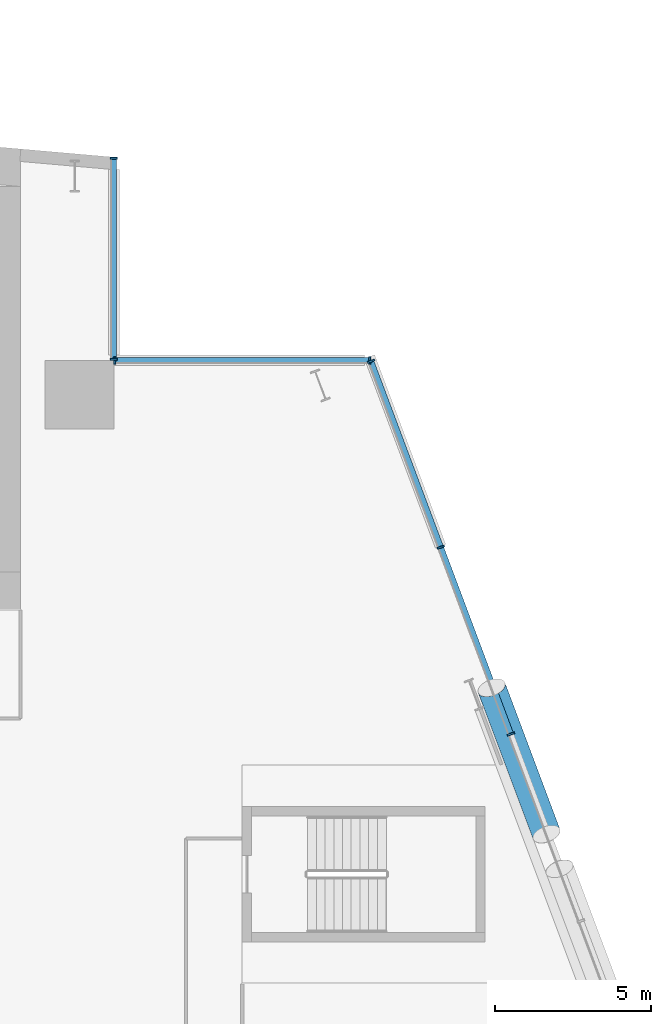
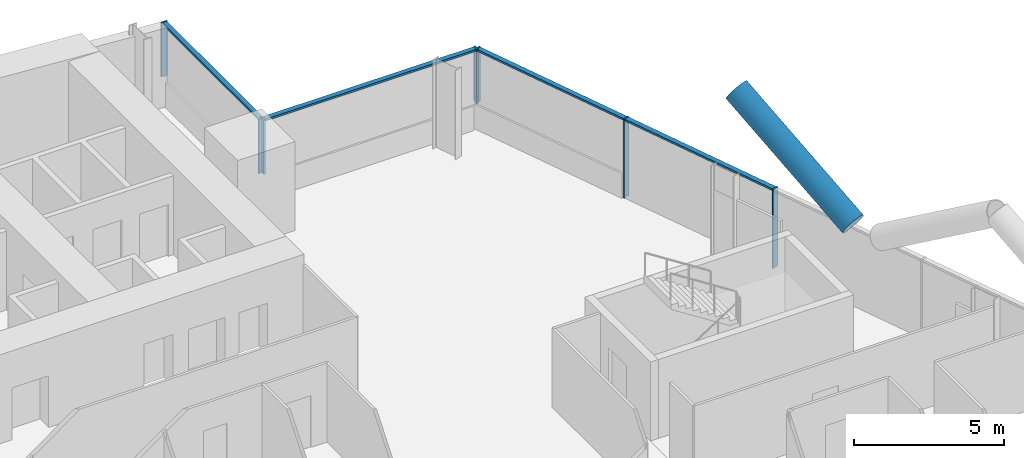
# One storey, part 10 of 27: 12 members, 3 elements without a shape of their own.
"""IFC4 building model written with IfcOpenShell, lengths in metres."""

from ifc_helpers import new_model, si_unit, direction, frame, origin, origin_2d, place, context, subcontext, project, spatial, rectangle, hollow_circle, extrude, material, material_profile, profile_set, type_object, element, aggregate, save


model = new_model("IFC4")

# Units and contexts
model_context = context("Model", 3, precision=1e-05, world=origin(), true_north=direction((0.0, 1.0)))
body_context = subcontext(model_context, "Body", "Model", "MODEL_VIEW")
ifc_project = project(units=[si_unit("LENGTHUNIT", "METRE"), si_unit("AREAUNIT", "SQUARE_METRE"), si_unit("VOLUMEUNIT", "CUBIC_METRE"), si_unit("PLANEANGLEUNIT", "RADIAN"), si_unit("MASSUNIT", "GRAM", prefix="KILO")], contexts=[model_context])

# Site, building, storey
site_placement = place(None, origin())
site = spatial("IfcSite", under=ifc_project, at=site_placement, CompositionType="ELEMENT")
building_placement = place(site_placement, origin())
building = spatial("IfcBuilding", under=site, at=building_placement, Name="Wharfspan Tower", CompositionType="ELEMENT")
storey_placement = place(building_placement, frame((0.0, 0.0, 55.899902)))
storey = spatial("IfcBuildingStorey", under=building, at=storey_placement, Name="L10", CompositionType="ELEMENT", Elevation=55.899902)

# Curtain wall, members
ifc_material_1 = material(Name="Aluminium 6063-T6", Category="aluminium")
curtain_wall_type = type_object("IfcCurtainWallType", Name="CURTAIN WALL PROW AND END", PredefinedType="NOTDEFINED", material=ifc_material_1)
curtain_wall_1_placement = place(storey_placement, origin())
curtain_wall_1 = element("IfcCurtainWall", 1, at=curtain_wall_1_placement, inside=storey, type_object=curtain_wall_type, Name="Curtain wall E", PredefinedType="NOTDEFINED")
ifc_material_profile_1 = material_profile(ifc_material_1, rectangle(XDim=0.23999, YDim=0.060059, at=origin_2d()))
ifc_profile_set_1 = profile_set([ifc_material_profile_1], Name="Aluminium 6063-T6")
member_type_1 = type_object("IfcMemberType", Name="MULLION PROW AND END 60x240", PredefinedType="MULLION", material=ifc_profile_set_1)
member_1_placement = place(storey_placement, frame((80.75, 30.0, 0.0), z_axis=(0.0, 0.0, 1.0), x_axis=(-0.936328, -0.351123, 0.0)))
member_1 = element("IfcMember", 2, at=member_1_placement, type_object=member_type_1, Name="Curtain wall E mullion 6", PredefinedType="MULLION", context=body_context, shape_type="SweptSolid", body=[
    extrude(rectangle(XDim=0.23999, YDim=0.060059, at=origin_2d()), origin(), (0.0, 0.0, 1.0), 3.200195),
])
member_2_placement = place(storey_placement, frame((78.5, 36.0, 0.0), z_axis=(0.0, 0.0, 1.0), x_axis=(-0.936328, -0.351123, 0.0)))
member_2 = element("IfcMember", 3, at=member_2_placement, type_object=member_type_1, Name="Curtain wall E mullion 7", PredefinedType="MULLION", context=body_context, shape_type="SweptSolid", body=[
    extrude(rectangle(XDim=0.23999, YDim=0.060059, at=origin_2d()), origin(), (0.0, 0.0, 1.0), 3.200195),
])
member_3_placement = place(storey_placement, frame((76.260498, 41.971924, 1.0), z_axis=(0.0, 0.0, 1.0), x_axis=(-0.936328, -0.351123, 0.0)))
member_3 = element("IfcMember", 4, at=member_3_placement, type_object=member_type_1, Name="Curtain wall E mullion 8", PredefinedType="MULLION", context=body_context, shape_type="SweptSolid", body=[
    extrude(rectangle(XDim=0.23999, YDim=0.060059, at=origin_2d()), origin(), (0.0, 0.0, 1.0), 2.200195),
])

curtain_wall_2_placement = place(storey_placement, origin())
curtain_wall_2 = element("IfcCurtainWall", 5, at=curtain_wall_2_placement, inside=storey, type_object=curtain_wall_type, Name="Curtain wall NRE-H", PredefinedType="NOTDEFINED")
member_4_placement = place(storey_placement, frame((76.219971, 42.0, 1.0), z_axis=(0.0, 0.0, 1.0), x_axis=(0.0, -1.0, 0.0)))
member_4 = element("IfcMember", 6, at=member_4_placement, type_object=member_type_1, Name="Curtain wall NRE-H mullion 1", PredefinedType="MULLION", context=body_context, shape_type="SweptSolid", body=[
    extrude(rectangle(XDim=0.23999, YDim=0.060059, at=origin_2d()), origin(), (0.0, 0.0, 1.0), 2.200195),
])
member_5_placement = place(storey_placement, frame((68.030029, 42.0, 1.0), z_axis=(0.0, 0.0, 1.0), x_axis=(0.0, -1.0, 0.0)))
member_5 = element("IfcMember", 7, at=member_5_placement, type_object=member_type_1, Name="Curtain wall NRE-H mullion 2", PredefinedType="MULLION", context=body_context, shape_type="SweptSolid", body=[
    extrude(rectangle(XDim=0.23999, YDim=0.060059, at=origin_2d()), origin(), (0.0, 0.0, 1.0), 2.200195),
])

curtain_wall_3_placement = place(storey_placement, origin())
curtain_wall_3 = element("IfcCurtainWall", 8, at=curtain_wall_3_placement, inside=storey, type_object=curtain_wall_type, Name="Curtain wall NRE-V", PredefinedType="NOTDEFINED")
member_6_placement = place(storey_placement, frame((68.0, 42.030029, 1.0), z_axis=(0.0, 0.0, 1.0), x_axis=(-1.0, 0.0, 0.0)))
member_6 = element("IfcMember", 9, at=member_6_placement, type_object=member_type_1, Name="Curtain wall NRE-V mullion 1", PredefinedType="MULLION", context=body_context, shape_type="SweptSolid", body=[
    extrude(rectangle(XDim=0.23999, YDim=0.060059, at=origin_2d()), origin(), (0.0, 0.0, 1.0), 2.200195),
])
member_7_placement = place(storey_placement, frame((68.0, 48.494873, 1.0), z_axis=(0.0, 0.0, 1.0), x_axis=(-1.0, 0.0, 0.0)))
member_7 = element("IfcMember", 10, at=member_7_placement, type_object=member_type_1, Name="Curtain wall NRE-V mullion 2", PredefinedType="MULLION", context=body_context, shape_type="SweptSolid", body=[
    extrude(rectangle(XDim=0.23999, YDim=0.060059, at=origin_2d()), origin(), (0.0, 0.0, 1.0), 2.200195),
])

# Member
ifc_material_2 = material(Name="Steel S460NH", Category="steel")
ifc_material_profile_2 = material_profile(ifc_material_2, hollow_circle(Radius=0.457031, WallThickness=0.040039, at=origin_2d()))
ifc_profile_set_2 = profile_set([ifc_material_profile_2], Name="Steel S460NH")
member_type_2 = type_object("IfcMemberType", Name="Mega brace CHS 914x40", PredefinedType="BRACE", material=ifc_profile_set_2)
member_8_placement = place(storey_placement, frame((81.895508, 26.788574, 3.282715), z_axis=(-0.295466, 0.787922, 0.540259), x_axis=(-0.936329, -0.351115, -4e-06)))
element("IfcMember", 11, at=member_8_placement, inside=storey, type_object=member_type_2, Name="Mega brace E6 L10 part 2", PredefinedType="BRACE", context=body_context, shape_type="SweptSolid", body=[
    extrude(hollow_circle(Radius=0.457031, WallThickness=0.040039, at=origin_2d()), origin(), (0.0, 0.0, 1.0), 5.955078),
])

ifc_material_profile_3 = material_profile(ifc_material_1, rectangle(XDim=0.179932, YDim=0.080078, at=origin_2d()))
ifc_profile_set_3 = profile_set([ifc_material_profile_3], Name="Aluminium 6063-T6")
member_type_3 = type_object("IfcMemberType", Name="TRANSOM PROW AND END 80x180", PredefinedType="USERDEFINED", material=ifc_profile_set_3)
member_9_placement = place(storey_placement, frame((80.739502, 30.028076, 3.160156), z_axis=(-0.351132, 0.936326, 0.0), x_axis=(-0.936326, -0.351132, 0.0)))
member_9 = element("IfcMember", 12, at=member_9_placement, type_object=member_type_3, Name="Curtain wall E transom 6", ObjectType="TRANSOM", PredefinedType="USERDEFINED", context=body_context, shape_type="SweptSolid", body=[
    extrude(rectangle(XDim=0.179932, YDim=0.080078, at=origin_2d()), origin(), (0.0, 0.0, 1.0), 6.348145),
])

member_10_placement = place(storey_placement, frame((78.489502, 36.028076, 3.160156), z_axis=(-0.351136, 0.936324, 0.0), x_axis=(-0.936324, -0.351136, 0.0)))
member_10 = element("IfcMember", 13, at=member_10_placement, type_object=member_type_3, Name="Curtain wall E transom 7", ObjectType="TRANSOM", PredefinedType="USERDEFINED", context=body_context, shape_type="SweptSolid", body=[
    extrude(rectangle(XDim=0.179932, YDim=0.080078, at=origin_2d()), origin(), (0.0, 0.0, 1.0), 6.318115),
])

aggregate(curtain_wall_1, [member_1, member_2, member_3, member_9, member_10])

member_11_placement = place(storey_placement, frame((76.189941, 42.0, 3.160156), z_axis=(-1.0, 0.0, 0.0), x_axis=(0.0, -1.0, 0.0)))
member_11 = element("IfcMember", 14, at=member_11_placement, type_object=member_type_3, Name="Curtain wall NRE-H transom 1", ObjectType="TRANSOM", PredefinedType="USERDEFINED", context=body_context, shape_type="SweptSolid", body=[
    extrude(rectangle(XDim=0.179932, YDim=0.080078, at=origin_2d()), origin(), (0.0, 0.0, 1.0), 8.129883),
])

aggregate(curtain_wall_2, [member_4, member_5, member_11])

member_12_placement = place(storey_placement, frame((68.0, 42.060059, 3.160156), z_axis=(0.0, 1.0, 0.0), x_axis=(-1.0, 0.0, 0.0)))
member_12 = element("IfcMember", 15, at=member_12_placement, type_object=member_type_3, Name="Curtain wall NRE-V transom 1", ObjectType="TRANSOM", PredefinedType="USERDEFINED", context=body_context, shape_type="SweptSolid", body=[
    extrude(rectangle(XDim=0.179932, YDim=0.080078, at=origin_2d()), origin(), (0.0, 0.0, 1.0), 6.404785),
])

aggregate(curtain_wall_3, [member_6, member_7, member_12])

save(model, "model.ifc")
